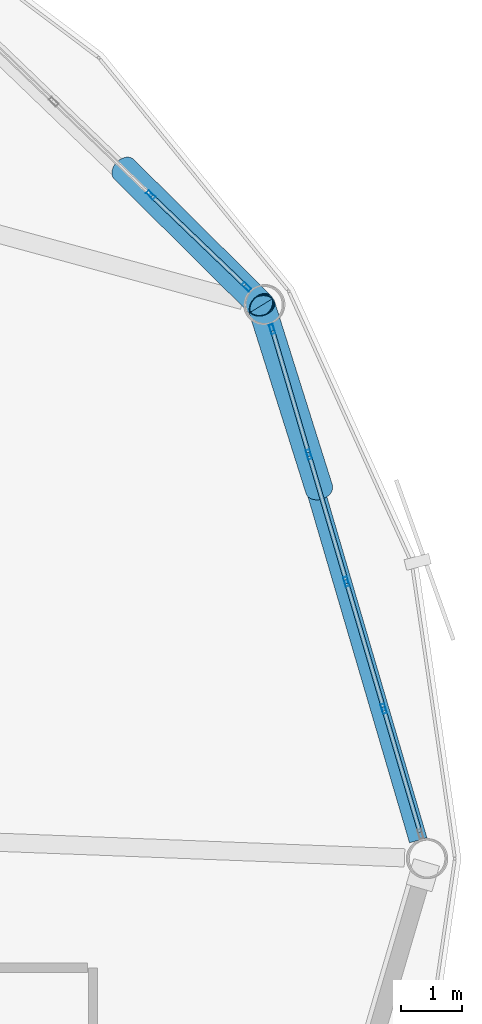
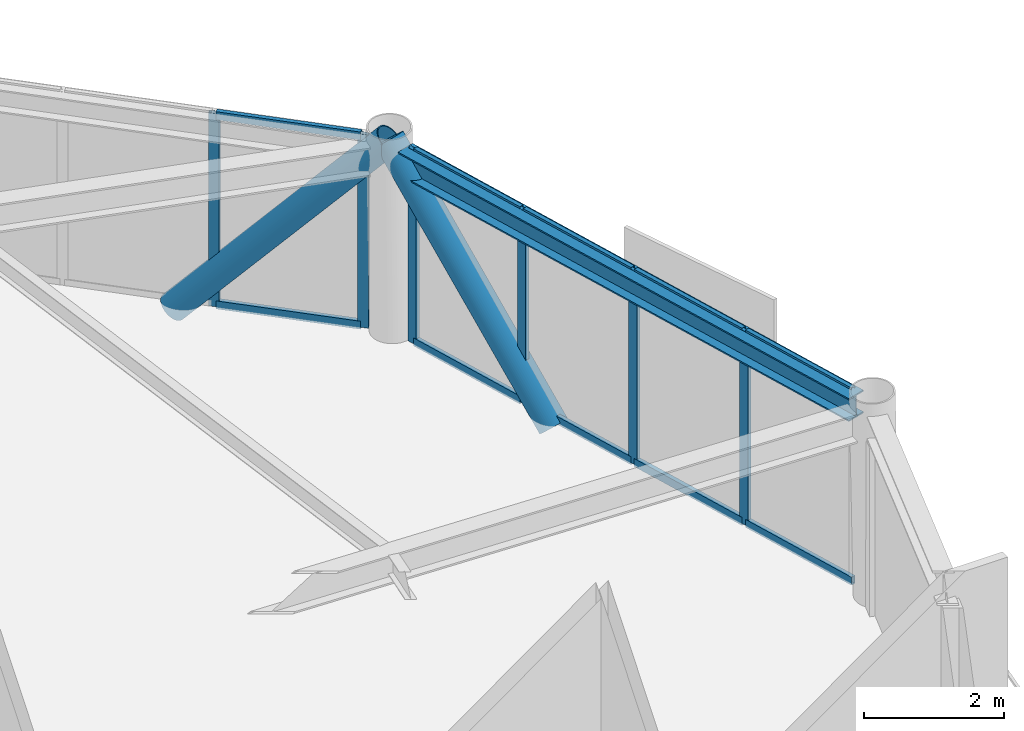
# One storey, part 16 of 28: 18 members, 1 beam, 2 elements without a shape of their own.
"""IFC4 building model written with IfcOpenShell, lengths in metres."""

from ifc_helpers import new_model, si_unit, direction, frame, origin, origin_2d, place, context, subcontext, project, spatial, hollow_rectangle, hollow_circle, i_section, extrude, material, layer, layer_set, material_profile, profile_set, type_object, element, aggregate, save


model = new_model("IFC4")

# Units and contexts
model_context = context("Model", 3, precision=1e-05, world=origin(), true_north=direction((0.0, 1.0)))
body_context = subcontext(model_context, "Body", "Model", "MODEL_VIEW")
ifc_project = project(units=[si_unit("LENGTHUNIT", "METRE"), si_unit("AREAUNIT", "SQUARE_METRE"), si_unit("VOLUMEUNIT", "CUBIC_METRE"), si_unit("PLANEANGLEUNIT", "RADIAN"), si_unit("MASSUNIT", "GRAM", prefix="KILO")], contexts=[model_context])

# Site, building, storey
site_placement = place(None, origin())
site = spatial("IfcSite", under=ifc_project, at=site_placement, CompositionType="ELEMENT")
building_placement = place(site_placement, origin())
building = spatial("IfcBuilding", under=site, at=building_placement, Name="Varnakorn Sky Granary", CompositionType="ELEMENT")
storey_placement = place(building_placement, frame((0.0, 0.0, 211.199951171875)))
storey = spatial("IfcBuildingStorey", under=building, at=storey_placement, Name="L53", CompositionType="ELEMENT", Elevation=211.199951171875)

# Beam
ifc_material_1 = material(Name="Steel S355JR", Category="steel")
ifc_material_profile_1 = material_profile(ifc_material_1, i_section(OverallWidth=0.300048828125, OverallDepth=0.39990234375, WebThickness=0.013427734375, FlangeThickness=0.02392578125, at=origin_2d()), Name="HE 400 B")
ifc_profile_set_1 = profile_set([ifc_material_profile_1], Name="Steel S355JR")
beam_type = type_object("IfcBeamType", Name="BM-SPD-Z4", PredefinedType="SPANDREL", material=ifc_profile_set_1)
beam_placement = place(storey_placement, frame((23.8662109375, 0.30224609375, 3.16015625), z_axis=(-0.281566098607, 0.959541834479, 0.0), x_axis=(-0.959541834479, -0.281566098607, 0.0)))
element("IfcBeam", 1, at=beam_placement, inside=storey, type_object=beam_type, Name="Perimeter Spandrel Ring Beam RB01 L53", PredefinedType="SPANDREL", context=body_context, shape_type="SweptSolid", body=[
    extrude(i_section(OverallWidth=0.300048828125, OverallDepth=0.39990234375, WebThickness=0.013427734375, FlangeThickness=0.02392578125, at=origin_2d()), origin(), (0.0, 0.0, 1.0), 8.87548828125),
])

# Curtain wall, members
ifc_material_2 = material(Name="Anodised Bronze Aluminium Alloy 6063-T6", Category="aluminium")
ifc_layer = layer(ifc_material_2, 0.169921875, Name="Anodised Bronze Aluminium Alloy 6063-T6")
ifc_layer_set = layer_set([ifc_layer], Name="Anodised Bronze Aluminium Alloy 6063-T6")
curtain_wall_type = type_object("IfcCurtainWallType", Name="CW-LAB-1", PredefinedType="USERDEFINED", material=ifc_layer_set)
curtain_wall_1_placement = place(storey_placement, origin())
curtain_wall_1 = element("IfcCurtainWall", 2, at=curtain_wall_1_placement, inside=storey, type_object=curtain_wall_type, Name="Unitised Curtain Wall CW5 CW-L53-B01", ObjectType="CURTAIN WALL", PredefinedType="USERDEFINED")
ifc_material_profile_2 = material_profile(ifc_material_2, hollow_rectangle(XDim=0.06494140625, YDim=0.159912109375, WallThickness=0.00341796875, at=origin_2d()), Name="ALU MULL 65x160")
ifc_profile_set_2 = profile_set([ifc_material_profile_2], Name="Anodised Bronze Aluminium Alloy 6063-T6")
member_type_1 = type_object("IfcMemberType", Name="CW-LAB-1-MULL", PredefinedType="MULLION", material=ifc_profile_set_2)
member_1_placement = place(storey_placement, frame((21.45654296875, 8.732666015625, 0.0), z_axis=(0.0, 0.0, 1.0), x_axis=(0.959425208919, 0.28196323961, 0.0)))
member_1 = element("IfcMember", 3, at=member_1_placement, type_object=member_type_1, Name="CW5 mullion 1", PredefinedType="MULLION", context=body_context, shape_type="SweptSolid", body=[
    extrude(hollow_rectangle(XDim=0.06494140625, YDim=0.159912109375, WallThickness=0.00341796875, at=origin_2d()), origin(), (0.0, 0.0, 1.0), 3.360107421875),
])
member_2_placement = place(storey_placement, frame((22.063720703125, 6.66650390625, 0.0), z_axis=(0.0, 0.0, 1.0), x_axis=(0.959425208919, 0.28196323961, 0.0)))
member_2 = element("IfcMember", 4, at=member_2_placement, type_object=member_type_1, Name="CW5 mullion 2", PredefinedType="MULLION", context=body_context, shape_type="SweptSolid", body=[
    extrude(hollow_rectangle(XDim=0.06494140625, YDim=0.159912109375, WallThickness=0.00341796875, at=origin_2d()), origin(), (0.0, 0.0, 1.0), 3.360107421875),
])
member_3_placement = place(storey_placement, frame((22.68017578125, 4.569091796875, 0.0), z_axis=(0.0, 0.0, 1.0), x_axis=(0.959425208919, 0.28196323961, 0.0)))
member_3 = element("IfcMember", 5, at=member_3_placement, type_object=member_type_1, Name="CW5 mullion 3", PredefinedType="MULLION", context=body_context, shape_type="SweptSolid", body=[
    extrude(hollow_rectangle(XDim=0.06494140625, YDim=0.159912109375, WallThickness=0.00341796875, at=origin_2d()), origin(), (0.0, 0.0, 1.0), 3.360107421875),
])
member_4_placement = place(storey_placement, frame((23.296630859375, 2.4716796875, 0.0), z_axis=(0.0, 0.0, 1.0), x_axis=(0.959425208919, 0.28196323961, 0.0)))
member_4 = element("IfcMember", 6, at=member_4_placement, type_object=member_type_1, Name="CW5 mullion 4", PredefinedType="MULLION", context=body_context, shape_type="SweptSolid", body=[
    extrude(hollow_rectangle(XDim=0.06494140625, YDim=0.159912109375, WallThickness=0.00341796875, at=origin_2d()), origin(), (0.0, 0.0, 1.0), 3.360107421875),
])

curtain_wall_2_placement = place(storey_placement, origin())
curtain_wall_2 = element("IfcCurtainWall", 7, at=curtain_wall_2_placement, inside=storey, type_object=curtain_wall_type, Name="Unitised Curtain Wall CW5 CW-L53-B02", ObjectType="CURTAIN WALL", PredefinedType="USERDEFINED")
member_5_placement = place(storey_placement, frame((19.45458984375, 10.9453125, 0.0), z_axis=(0.0, 0.0, 1.0), x_axis=(0.692516121649, 0.721402398982, 0.0)))
member_5 = element("IfcMember", 8, at=member_5_placement, type_object=member_type_1, Name="CW5 mullion 4", PredefinedType="MULLION", context=body_context, shape_type="SweptSolid", body=[
    extrude(hollow_rectangle(XDim=0.06494140625, YDim=0.159912109375, WallThickness=0.00341796875, at=origin_2d()), origin(), (0.0, 0.0, 1.0), 3.360107421875),
])
member_6_placement = place(storey_placement, frame((21.03271484375, 9.4306640625, 0.0), z_axis=(0.0, 0.0, 1.0), x_axis=(0.692516121649, 0.721402398982, 0.0)))
member_6 = element("IfcMember", 9, at=member_6_placement, type_object=member_type_1, Name="CW5 mullion 5", PredefinedType="MULLION", context=body_context, shape_type="SweptSolid", body=[
    extrude(hollow_rectangle(XDim=0.06494140625, YDim=0.159912109375, WallThickness=0.00341796875, at=origin_2d()), origin(), (0.0, 0.0, 1.0), 3.360107421875),
])

# Member
ifc_material_profile_3 = material_profile(ifc_material_2, hollow_rectangle(XDim=0.070068359375, YDim=0.139892578125, WallThickness=0.00341796875, at=origin_2d()), Name="ALU TRAN 70x140")
ifc_profile_set_3 = profile_set([ifc_material_profile_3], Name="Anodised Bronze Aluminium Alloy 6063-T6")
member_type_2 = type_object("IfcMemberType", Name="CW-LAB-1-TRAN", PredefinedType="USERDEFINED", material=ifc_profile_set_3)
member_7_placement = place(storey_placement, frame((21.4658203125, 8.701416015625, 0.03515625), z_axis=(0.281938492365, -0.959432481482, 0.0), x_axis=(0.959432481482, 0.281938492365, 0.0)))
member_7 = element("IfcMember", 10, at=member_7_placement, type_object=member_type_2, Name="CW5 transom 1.1", ObjectType="TRANSOM", PredefinedType="USERDEFINED", context=body_context, shape_type="SweptSolid", body=[
    extrude(hollow_rectangle(XDim=0.070068359375, YDim=0.139892578125, WallThickness=0.00341796875, at=origin_2d()), origin(), (0.0, 0.0, 1.0), 2.088623046875),
])

member_8_placement = place(storey_placement, frame((21.4658203125, 8.701416015625, 3.324951171875), z_axis=(0.281938492365, -0.959432481482, 0.0), x_axis=(0.959432481482, 0.281938492365, 0.0)))
member_8 = element("IfcMember", 11, at=member_8_placement, type_object=member_type_2, Name="CW5 transom 1.2", ObjectType="TRANSOM", PredefinedType="USERDEFINED", context=body_context, shape_type="SweptSolid", body=[
    extrude(hollow_rectangle(XDim=0.070068359375, YDim=0.139892578125, WallThickness=0.00341796875, at=origin_2d()), origin(), (0.0, 0.0, 1.0), 2.088623046875),
])

member_9_placement = place(storey_placement, frame((22.072998046875, 6.63525390625, 0.03515625), z_axis=(0.281979383128, -0.95942046439, 0.0), x_axis=(0.95942046439, 0.281979383128, 0.0)))
member_9 = element("IfcMember", 12, at=member_9_placement, type_object=member_type_2, Name="CW5 transom 2.1", ObjectType="TRANSOM", PredefinedType="USERDEFINED", context=body_context, shape_type="SweptSolid", body=[
    extrude(hollow_rectangle(XDim=0.070068359375, YDim=0.139892578125, WallThickness=0.00341796875, at=origin_2d()), origin(), (0.0, 0.0, 1.0), 2.121337890625),
])

member_10_placement = place(storey_placement, frame((22.072998046875, 6.63525390625, 3.324951171875), z_axis=(0.281979383128, -0.95942046439, 0.0), x_axis=(0.95942046439, 0.281979383128, 0.0)))
member_10 = element("IfcMember", 13, at=member_10_placement, type_object=member_type_2, Name="CW5 transom 2.2", ObjectType="TRANSOM", PredefinedType="USERDEFINED", context=body_context, shape_type="SweptSolid", body=[
    extrude(hollow_rectangle(XDim=0.070068359375, YDim=0.139892578125, WallThickness=0.00341796875, at=origin_2d()), origin(), (0.0, 0.0, 1.0), 2.121337890625),
])

member_11_placement = place(storey_placement, frame((22.689453125, 4.537841796875, 0.03515625), z_axis=(0.281873435713, -0.959451596611, 0.0), x_axis=(0.959451596611, 0.281873435713, 0.0)))
member_11 = element("IfcMember", 14, at=member_11_placement, type_object=member_type_2, Name="CW5 transom 3.1", ObjectType="TRANSOM", PredefinedType="USERDEFINED", context=body_context, shape_type="SweptSolid", body=[
    extrude(hollow_rectangle(XDim=0.070068359375, YDim=0.139892578125, WallThickness=0.00341796875, at=origin_2d()), origin(), (0.0, 0.0, 1.0), 2.12109375),
])

member_12_placement = place(storey_placement, frame((22.689453125, 4.537841796875, 3.324951171875), z_axis=(0.281873435713, -0.959451596611, 0.0), x_axis=(0.959451596611, 0.281873435713, 0.0)))
member_12 = element("IfcMember", 15, at=member_12_placement, type_object=member_type_2, Name="CW5 transom 3.2", ObjectType="TRANSOM", PredefinedType="USERDEFINED", context=body_context, shape_type="SweptSolid", body=[
    extrude(hollow_rectangle(XDim=0.070068359375, YDim=0.139892578125, WallThickness=0.00341796875, at=origin_2d()), origin(), (0.0, 0.0, 1.0), 2.12109375),
])

member_13_placement = place(storey_placement, frame((23.3056640625, 2.4404296875, 0.03515625), z_axis=(0.282046085468, -0.959400857656, 0.0), x_axis=(0.959400857656, 0.282046085468, 0.0)))
member_13 = element("IfcMember", 16, at=member_13_placement, type_object=member_type_2, Name="CW5 transom 4.1", ObjectType="TRANSOM", PredefinedType="USERDEFINED", context=body_context, shape_type="SweptSolid", body=[
    extrude(hollow_rectangle(XDim=0.070068359375, YDim=0.139892578125, WallThickness=0.00341796875, at=origin_2d()), origin(), (0.0, 0.0, 1.0), 2.088623046875),
])

member_14_placement = place(storey_placement, frame((23.3056640625, 2.4404296875, 3.324951171875), z_axis=(0.282046085468, -0.959400857656, 0.0), x_axis=(0.959400857656, 0.282046085468, 0.0)))
member_14 = element("IfcMember", 17, at=member_14_placement, type_object=member_type_2, Name="CW5 transom 4.2", ObjectType="TRANSOM", PredefinedType="USERDEFINED", context=body_context, shape_type="SweptSolid", body=[
    extrude(hollow_rectangle(XDim=0.070068359375, YDim=0.139892578125, WallThickness=0.00341796875, at=origin_2d()), origin(), (0.0, 0.0, 1.0), 2.088623046875),
])

aggregate(curtain_wall_1, [member_1, member_2, member_3, member_4, member_7, member_8, member_9, member_10, member_11, member_12, member_13, member_14])

member_15_placement = place(storey_placement, frame((19.47802734375, 10.9228515625, 0.03515625), z_axis=(0.721451679609, -0.692464781768, 0.0), x_axis=(0.692464781768, 0.721451679609, 0.0)))
member_15 = element("IfcMember", 18, at=member_15_placement, type_object=member_type_2, Name="CW5 transom 4.1", ObjectType="TRANSOM", PredefinedType="USERDEFINED", context=body_context, shape_type="SweptSolid", body=[
    extrude(hollow_rectangle(XDim=0.070068359375, YDim=0.139892578125, WallThickness=0.00341796875, at=origin_2d()), origin(), (0.0, 0.0, 1.0), 2.12255859375),
])

member_16_placement = place(storey_placement, frame((19.47802734375, 10.9228515625, 3.324951171875), z_axis=(0.721451679609, -0.692464781768, 0.0), x_axis=(0.692464781768, 0.721451679609, 0.0)))
member_16 = element("IfcMember", 19, at=member_16_placement, type_object=member_type_2, Name="CW5 transom 4.2", ObjectType="TRANSOM", PredefinedType="USERDEFINED", context=body_context, shape_type="SweptSolid", body=[
    extrude(hollow_rectangle(XDim=0.070068359375, YDim=0.139892578125, WallThickness=0.00341796875, at=origin_2d()), origin(), (0.0, 0.0, 1.0), 2.12255859375),
])

aggregate(curtain_wall_2, [member_5, member_6, member_15, member_16])

# Members
ifc_material_3 = material(Name="Steel S460M", Category="steel")
ifc_material_profile_4 = material_profile(ifc_material_3, hollow_circle(Radius=0.228515625, WallThickness=0.01611328125, at=origin_2d()), Name="CHS 457x16")
ifc_profile_set_4 = profile_set([ifc_material_profile_4], Name="Steel S460M")
member_type_3 = type_object("IfcMemberType", Name="MB-DIAG-T3", PredefinedType="BRACE", material=ifc_profile_set_4)
member_17_placement = place(storey_placement, frame((22.232666015625, 6.092041015625, -0.1298828125), z_axis=(-0.202198700696, 0.64193430899, 0.73961883993), x_axis=(-0.953803161755, -0.300432236329, 0.0)))
element("IfcMember", 20, at=member_17_placement, inside=storey, type_object=member_type_3, Name="Perimeter CHS Diagrid Brace DG01 L53", PredefinedType="BRACE", context=body_context, shape_type="SweptSolid", body=[
    extrude(hollow_circle(Radius=0.228515625, WallThickness=0.01611328125, at=origin_2d()), origin(), (0.0, 0.0, 1.0), 4.71875),
])
member_18_placement = place(storey_placement, frame((19.0146484375, 11.367919921875, -0.1298828125), z_axis=(0.478836020751, -0.475221384554, 0.738160349039), x_axis=(0.704422710828, 0.709780701674, 0.0)))
element("IfcMember", 21, at=member_18_placement, inside=storey, type_object=member_type_3, Name="Perimeter CHS Diagrid Brace DG02 L53", PredefinedType="BRACE", context=body_context, shape_type="SweptSolid", body=[
    extrude(hollow_circle(Radius=0.228515625, WallThickness=0.01611328125, at=origin_2d()), origin(), (0.0, 0.0, 1.0), 4.72802734375),
])

save(model, "model.ifc")
